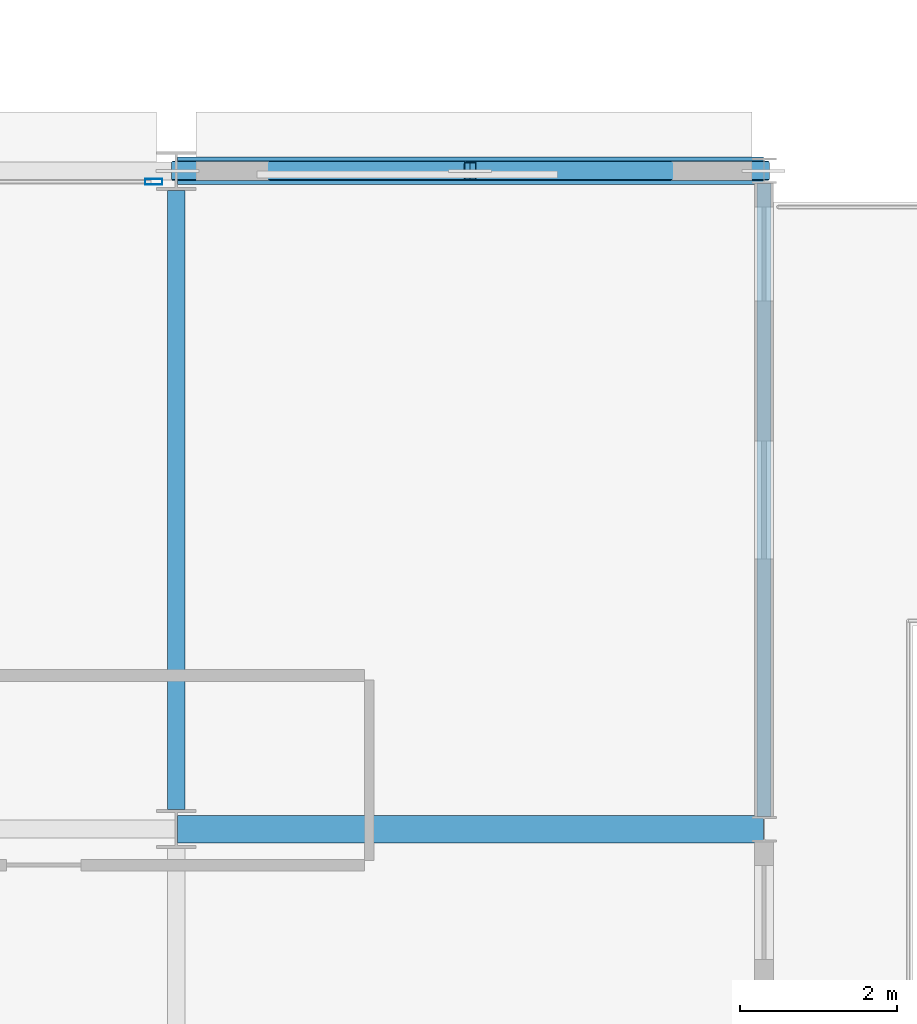
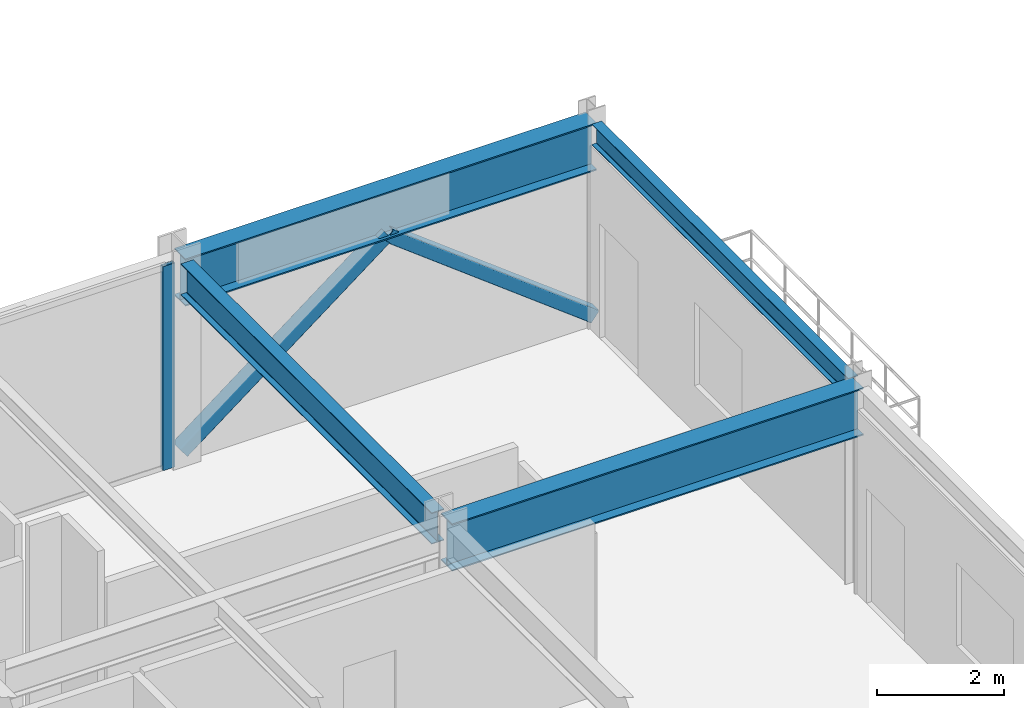
# One storey, part 15 of 30: 4 beams, 3 members, 1 element without a shape of its own.
"""IFC4 building model written with IfcOpenShell, lengths in metres."""

from ifc_helpers import new_model, si_unit, direction, frame, origin, origin_2d, place, context, subcontext, project, spatial, hollow_rectangle, i_section, extrude, material, layer, layer_set, material_profile, profile_set, type_object, element, aggregate, save


model = new_model("IFC4")

# Units and contexts
model_context = context("Model", 3, precision=1e-05, world=origin(), true_north=direction((0.0, 1.0)))
body_context = subcontext(model_context, "Body", "Model", "MODEL_VIEW")
ifc_project = project(units=[si_unit("LENGTHUNIT", "METRE"), si_unit("AREAUNIT", "SQUARE_METRE"), si_unit("VOLUMEUNIT", "CUBIC_METRE"), si_unit("PLANEANGLEUNIT", "RADIAN"), si_unit("MASSUNIT", "GRAM", prefix="KILO")], contexts=[model_context])

# Site, building, storey
site_placement = place(None, origin())
site = spatial("IfcSite", under=ifc_project, at=site_placement, CompositionType="ELEMENT")
building_placement = place(site_placement, origin())
building = spatial("IfcBuilding", under=site, at=building_placement, Name="Nerrivon Quay Data Exchange", CompositionType="ELEMENT")
storey_placement = place(building_placement, frame((0.0, 0.0, 62.60009765625)))
storey = spatial("IfcBuildingStorey", under=building, at=storey_placement, Name="L14", CompositionType="ELEMENT", Elevation=62.60009765625)

# Beams
ifc_material_1 = material(Name="Steel Grade 350", Category="steel")
ifc_material_profile_1 = material_profile(ifc_material_1, i_section(OverallWidth=0.35009765625, OverallDepth=0.909912109375, WebThickness=0.011962890625, FlangeThickness=0.02490234375, at=origin_2d()), Name="900WB218")
ifc_profile_set_1 = profile_set([ifc_material_profile_1], Name="Steel Grade 350")
beam_type_1 = type_object("IfcBeamType", Name="BM-CANT-900WB", PredefinedType="USERDEFINED", material=ifc_profile_set_1)
for number, where, z_axis, x_axis, name in (
    (1, (50.4140625, 16.800048828125, 3.469970703125), (1.0, 0.0, 0.0), (0.0, 1.0, 0.0), "L14 East Hooked Cantilever Girder Y=16.8"),
    (2, (50.4140625, 25.199951171875, 3.469970703125), (1.0, 0.0, 0.0), (0.0, 1.0, 0.0), "L14 East Hooked Cantilever Girder Y=25.2"),
):
    element("IfcBeam", number, at=place(storey_placement, frame(where, z_axis=z_axis, x_axis=x_axis)), inside=storey, type_object=beam_type_1, Name=name, ObjectType="TRANSFER", PredefinedType="USERDEFINED", context=body_context, shape_type="SweptSolid", body=[
        extrude(i_section(OverallWidth=0.35009765625, OverallDepth=0.909912109375, WebThickness=0.011962890625, FlangeThickness=0.02490234375, at=origin_2d()), origin(), (0.0, 0.0, 1.0), 7.47802734375),
    ])
ifc_material_profile_2 = material_profile(ifc_material_1, i_section(OverallWidth=0.22802734375, OverallDepth=0.60205078125, WebThickness=0.010498046875, FlangeThickness=0.014892578125, FilletRadius=0.013916015625, at=origin_2d()), Name="610UB101")
ifc_profile_set_2 = profile_set([ifc_material_profile_2], Name="Steel Grade 350")
beam_type_2 = type_object("IfcBeamType", Name="BM-G2-610UB101", PredefinedType="BEAM", material=ifc_profile_set_2)
beam_1_placement = place(storey_placement, frame((50.39990234375, 17.050048828125, 3.6240234375), z_axis=(0.0, 1.0, 0.0), x_axis=(-1.0, 0.0, 0.0)))
element("IfcBeam", 3, at=beam_1_placement, inside=storey, type_object=beam_type_2, Name="L14 NS Girder X=50.4 (16.8..25.2)", PredefinedType="BEAM", context=body_context, shape_type="SweptSolid", body=[
    extrude(i_section(OverallWidth=0.22802734375, OverallDepth=0.60205078125, WebThickness=0.010498046875, FlangeThickness=0.014892578125, FilletRadius=0.013916015625, at=origin_2d()), origin(), (0.0, 0.0, 1.0), 7.89990234375),
])
ifc_material_profile_3 = material_profile(ifc_material_1, i_section(OverallWidth=0.177978515625, OverallDepth=0.403076171875, WebThickness=0.007568359375, FlangeThickness=0.010986328125, FilletRadius=0.011474609375, at=origin_2d()), Name="410UB53.7")
ifc_profile_set_3 = profile_set([ifc_material_profile_3], Name="Steel Grade 350")
beam_type_3 = type_object("IfcBeamType", Name="BM-SP2-410UB54", PredefinedType="SPANDREL", material=ifc_profile_set_3)
beam_2_placement = place(storey_placement, frame((57.89990234375, 16.96337890625, 3.723388671875), z_axis=(0.0, 1.0, 0.0), x_axis=(-1.0, 0.0, 0.0)))
element("IfcBeam", 4, at=beam_2_placement, inside=storey, type_object=beam_type_3, Name="L14 East Hooked Edge Spandrel", PredefinedType="SPANDREL", context=body_context, shape_type="SweptSolid", body=[
    extrude(i_section(OverallWidth=0.177978515625, OverallDepth=0.403076171875, WebThickness=0.007568359375, FlangeThickness=0.010986328125, FilletRadius=0.011474609375, at=origin_2d()), origin(), (0.0, 0.0, 1.0), 8.0732421875),
])

# Curtain wall, member
ifc_material_2 = material(Name="Anodised aluminium 6063-T6", Category="aluminium")
ifc_layer = layer(ifc_material_2, 0.219970703125)
ifc_layer_set = layer_set([ifc_layer], Name="Anodised aluminium 6063-T6")
curtain_wall_type = type_object("IfcCurtainWallType", Name="CW-SYS-01", PredefinedType="NOTDEFINED", material=ifc_layer_set)
curtain_wall_placement = place(storey_placement, origin())
curtain_wall = element("IfcCurtainWall", 5, at=curtain_wall_placement, inside=storey, type_object=curtain_wall_type, Name="L14 Unitised Curtain Wall 34", PredefinedType="NOTDEFINED")
ifc_material_profile_4 = material_profile(ifc_material_2, hollow_rectangle(XDim=0.074951171875, YDim=0.219970703125, WallThickness=0.00390625, at=origin_2d()), Name="ALU-MULL-220x75")
ifc_profile_set_4 = profile_set([ifc_material_profile_4], Name="Anodised aluminium 6063-T6")
member_type_1 = type_object("IfcMemberType", Name="CWM-220x75", PredefinedType="MULLION", material=ifc_profile_set_4)
member_1_placement = place(storey_placement, frame((50.112548828125, 25.06005859375, 0.0), z_axis=(0.0, 0.0, 1.0), x_axis=(0.0, 1.0, 0.0)))
member_1 = element("IfcMember", 6, at=member_1_placement, type_object=member_type_1, Name="CW01 mullion 2", PredefinedType="MULLION", context=body_context, shape_type="SweptSolid", body=[
    extrude(hollow_rectangle(XDim=0.074951171875, YDim=0.219970703125, WallThickness=0.00390625, at=origin_2d()), origin(), (0.0, 0.0, 1.0), 3.9248046875),
])
aggregate(curtain_wall, [member_1])

# Members
ifc_material_3 = material(Name="Steel Grade C350L0 (350 MPa)", Category="steel")
ifc_material_profile_5 = material_profile(ifc_material_3, hollow_rectangle(XDim=0.25, YDim=0.25, WallThickness=0.012451171875, InnerFilletRadius=0.018798828125, OuterFilletRadius=0.03125, at=origin_2d()), Name="250x250x12.5SHS")
ifc_profile_set_5 = profile_set([ifc_material_profile_5], Name="Steel Grade C350L0 (350 MPa)")
member_type_2 = type_object("IfcMemberType", Name="MEM-WB1-250SHS", PredefinedType="BRACE", material=ifc_profile_set_5)
member_2_placement = place(storey_placement, frame((50.4140625, 25.199951171875, 0.159912109375), z_axis=(0.793519549487, 0.0, 0.60854475972), x_axis=(0.0, 1.0, 0.0)))
element("IfcMember", 7, at=member_2_placement, inside=storey, type_object=member_type_2, Name="L14 structural brace BR-L14-EHOOK-252A", PredefinedType="BRACE", context=body_context, shape_type="SweptSolid", body=[
    extrude(hollow_rectangle(XDim=0.25, YDim=0.25, WallThickness=0.012451171875, InnerFilletRadius=0.018798828125, OuterFilletRadius=0.03125, at=origin_2d()), origin(), (0.0, 0.0, 1.0), 4.7080078125),
])
member_3_placement = place(storey_placement, frame((57.89208984375, 25.199951171875, 0.159912109375), z_axis=(-0.79401805636, 0.0, 0.607894173499), x_axis=(0.0, -1.0, 0.0)))
element("IfcMember", 8, at=member_3_placement, inside=storey, type_object=member_type_2, Name="L14 structural brace BR-L14-EHOOK-252B", PredefinedType="BRACE", context=body_context, shape_type="SweptSolid", body=[
    extrude(hollow_rectangle(XDim=0.25, YDim=0.25, WallThickness=0.012451171875, InnerFilletRadius=0.018798828125, OuterFilletRadius=0.03125, at=origin_2d()), origin(), (0.0, 0.0, 1.0), 4.712890625),
])

save(model, "model.ifc")
